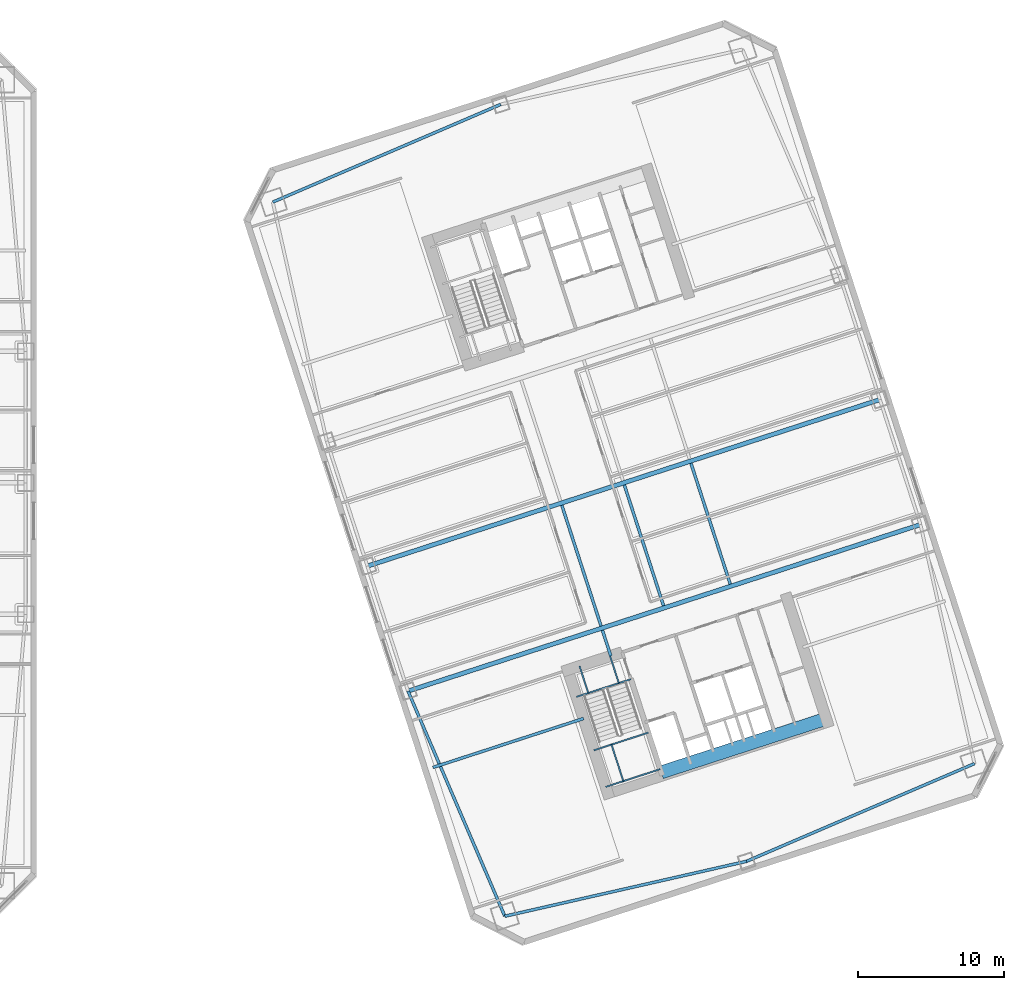
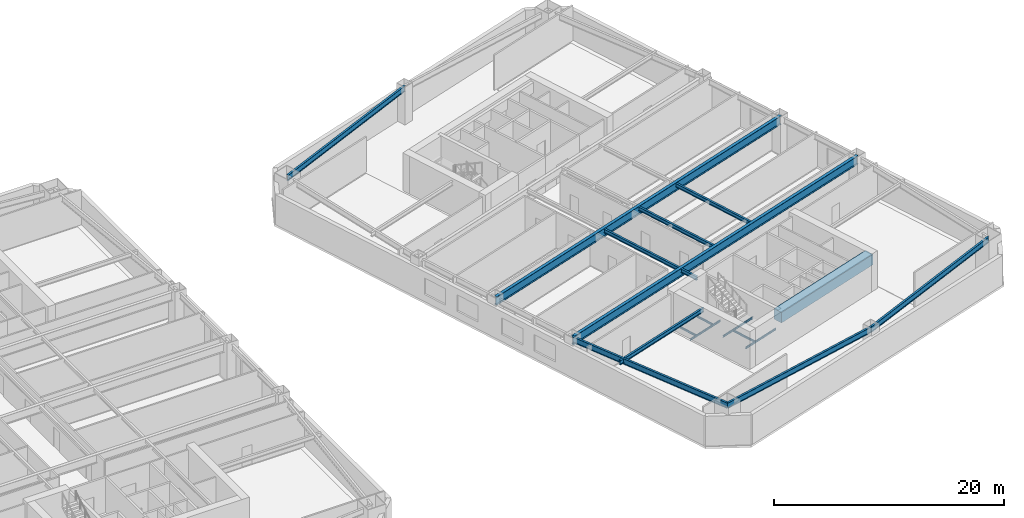
# One storey, part 7 of 24: 18 beams.
"""IFC4 building model written with IfcOpenShell, lengths in metres."""

from ifc_helpers import new_model, si_unit, direction, frame, origin, origin_2d, place, context, subcontext, project, spatial, rectangle, i_section, extrude, material, material_profile, profile_set, type_object, element, save


model = new_model("IFC4")

# Units and contexts
model_context = context("Model", 3, precision=1e-05, world=origin(), true_north=direction((0.0, 1.0)))
body_context = subcontext(model_context, "Body", "Model", "MODEL_VIEW")
ifc_project = project(units=[si_unit("LENGTHUNIT", "METRE"), si_unit("AREAUNIT", "SQUARE_METRE"), si_unit("VOLUMEUNIT", "CUBIC_METRE"), si_unit("PLANEANGLEUNIT", "RADIAN"), si_unit("MASSUNIT", "GRAM", prefix="KILO")], contexts=[model_context])

# Site, building, storey
site_placement = place(None, origin())
site = spatial("IfcSite", under=ifc_project, at=site_placement, CompositionType="ELEMENT")
building_placement = place(site_placement, origin())
building = spatial("IfcBuilding", under=site, at=building_placement, Name="Qiaolan Cultural Towers", CompositionType="ELEMENT")
storey_placement = place(building_placement, frame((0.0, 0.0, 30.0)))
storey = spatial("IfcBuildingStorey", under=building, at=storey_placement, Name="L06", CompositionType="ELEMENT", Elevation=30.0)

# Beams
ifc_material_1 = material(Name="Steel Q355B", Category="steel")
ifc_material_profile_1 = material_profile(ifc_material_1, i_section(OverallWidth=0.300048828125, OverallDepth=0.89990234375, WebThickness=0.01611328125, FlangeThickness=0.028076171875, at=origin_2d()), Name="HN900x300x16x28")
ifc_profile_set_1 = profile_set([ifc_material_profile_1], Name="Steel Q355B")
beam_type_1 = type_object("IfcBeamType", Name="BM-HN900x300x16x28", PredefinedType="BEAM", material=ifc_profile_set_1)
beam_1_placement = place(storey_placement, frame((75.234130859375, 19.739013671875, 3.2900390625), z_axis=(0.951055702987, 0.309019497469, 0.0), x_axis=(-0.309019497469, 0.951055702987, 0.0)))
element("IfcBeam", 1, at=beam_1_placement, inside=storey, type_object=beam_type_1, Name="L06 T2 Primary Transverse Girder V1", PredefinedType="BEAM", context=body_context, shape_type="SweptSolid", body=[
    extrude(i_section(OverallWidth=0.300048828125, OverallDepth=0.89990234375, WebThickness=0.01611328125, FlangeThickness=0.028076171875, at=origin_2d()), origin(), (0.0, 0.0, 1.0), 36.900146484375),
])
beam_2_placement = place(storey_placement, frame((72.453125, 28.298583984375, 3.2900390625), z_axis=(0.951055071173, 0.309021441968, 0.0), x_axis=(-0.309021441968, 0.951055071173, 0.0)))
element("IfcBeam", 2, at=beam_2_placement, inside=storey, type_object=beam_type_1, Name="L06 T2 Primary Transverse Girder V2", PredefinedType="BEAM", context=body_context, shape_type="SweptSolid", body=[
    extrude(i_section(OverallWidth=0.300048828125, OverallDepth=0.89990234375, WebThickness=0.01611328125, FlangeThickness=0.028076171875, at=origin_2d()), origin(), (0.0, 0.0, 1.0), 36.89990234375),
])
ifc_material_2 = material(Name="Steel Q355B", Category="steel")
ifc_material_profile_2 = material_profile(ifc_material_2, i_section(OverallWidth=0.199951171875, OverallDepth=0.39990234375, WebThickness=0.008056640625, FlangeThickness=0.012939453125, at=origin_2d()), Name="HN400x200x8x13")
ifc_profile_set_2 = profile_set([ifc_material_profile_2], Name="Steel Q355B")
beam_type_2 = type_object("IfcBeamType", Name="BM-JST-HN400x200x8x13", PredefinedType="JOIST", material=ifc_profile_set_2)
beam_3_placement = place(storey_placement, frame((89.119384765625, 22.147705078125, 3.5400390625), z_axis=(-0.308933885266, 0.951083516067, 0.0), x_axis=(-0.951083516067, -0.308933885266, 0.0)))
element("IfcBeam", 3, at=beam_3_placement, inside=storey, type_object=beam_type_2, Name="L06 T2 Secondary Floor Joist U1-1", PredefinedType="JOIST", context=body_context, shape_type="SweptSolid", body=[
    extrude(i_section(OverallWidth=0.199951171875, OverallDepth=0.39990234375, WebThickness=0.008056640625, FlangeThickness=0.012939453125, at=origin_2d()), origin(), (0.0, 0.0, 1.0), 1.85009765625),
])
for number, where, z_axis, x_axis, name in (
    (4, (88.455078125, 24.192626953125, 3.5400390625), (-0.309020714809, 0.951055307445, 0.0), (-0.951055307445, -0.309020714809, 0.0), "L06 T2 Secondary Floor Joist U1-2"),
    (5, (92.73486328125, 25.583251953125, 3.5400390625), (-0.309020714809, 0.951055307445, 0.0), (-0.951055307445, -0.309020714809, 0.0), "L06 T2 Secondary Floor Joist U2-2"),
    (6, (97.2998046875, 27.06640625, 3.5400390625), (-0.309020714809, 0.951055307445, 0.0), (-0.951055307445, -0.309020714809, 0.0), "L06 T2 Secondary Floor Joist U3-2"),
):
    element("IfcBeam", number, at=place(storey_placement, frame(where, z_axis=z_axis, x_axis=x_axis)), inside=storey, type_object=beam_type_2, Name=name, PredefinedType="JOIST", context=body_context, shape_type="SweptSolid", body=[
        extrude(i_section(OverallWidth=0.199951171875, OverallDepth=0.39990234375, WebThickness=0.008056640625, FlangeThickness=0.012939453125, at=origin_2d()), origin(), (0.0, 0.0, 1.0), 8.699951171875),
    ])
ifc_material_3 = material(Name="Steel Q355B", Category="steel")
ifc_material_profile_3 = material_profile(ifc_material_3, i_section(OverallWidth=0.199951171875, OverallDepth=0.449951171875, WebThickness=0.009033203125, FlangeThickness=0.013916015625, at=origin_2d()), Name="HN450x200x9x14")
ifc_profile_set_3 = profile_set([ifc_material_profile_3], Name="Steel Q355B")
beam_type_3 = type_object("IfcBeamType", Name="BM-LNT-HN450x200x9x14", PredefinedType="LINTEL", material=ifc_profile_set_3)
beam_4_placement = place(storey_placement, frame((87.252685546875, 17.861083984375, 3.514892578125), z_axis=(-0.95105688584, -0.30901585703, 0.0), x_axis=(0.30901585703, -0.95105688584, 0.0)))
element("IfcBeam", 7, at=beam_4_placement, inside=storey, type_object=beam_type_3, Name="L06 T2 Core Flank Tie Lintel WS", PredefinedType="LINTEL", context=body_context, shape_type="SweptSolid", body=[
    extrude(i_section(OverallWidth=0.199951171875, OverallDepth=0.449951171875, WebThickness=0.009033203125, FlangeThickness=0.013916015625, at=origin_2d()), origin(), (0.0, 0.0, 1.0), 10.849853515625),
])
ifc_material_4 = material(Name="Concrete C50", Category="concrete")
ifc_material_profile_4 = material_profile(ifc_material_4, rectangle(XDim=0.89990234375, YDim=1.10009765625, at=origin_2d()), Name="RC900x1100")
ifc_profile_set_4 = profile_set([ifc_material_profile_4], Name="Concrete C50")
beam_type_4 = type_object("IfcBeamType", Name="BM-RC900x1100", PredefinedType="BEAM", material=ifc_profile_set_4)
beam_5_placement = place(storey_placement, frame((92.572265625, 14.174560546875, 3.18994140625), z_axis=(0.951056266386, 0.309017763514, 0.0), x_axis=(-0.309017763514, 0.951056266386, 0.0)))
element("IfcBeam", 8, at=beam_5_placement, inside=storey, type_object=beam_type_4, Name="L06 T2 Core Header Girder S", PredefinedType="BEAM", context=body_context, shape_type="SweptSolid", body=[
    extrude(rectangle(XDim=0.89990234375, YDim=1.10009765625, at=origin_2d()), origin(), (0.0, 0.0, 1.0), 11.880126953125),
])
ifc_material_5 = material(Name="Steel Q355B", Category="steel")
ifc_material_profile_5 = material_profile(ifc_material_5, i_section(OverallWidth=0.199951171875, OverallDepth=0.60009765625, WebThickness=0.010986328125, FlangeThickness=0.01708984375, at=origin_2d()), Name="HN600x200x11x17")
ifc_profile_set_5 = profile_set([ifc_material_profile_5], Name="Steel Q355B")
beam_type_5 = type_object("IfcBeamType", Name="BM-SPD-HN600x200x11x17", PredefinedType="SPANDREL", material=ifc_profile_set_5)
for number, where, z_axis, x_axis, name in (
    (9, (81.862548828125, 4.32275390625, 3.43994140625), (0.975161095889, 0.221496810506, 0.0), (-0.221496810506, 0.975161095889, 0.0), "L06 T2 Perimeter Spandrel Beam 1"),
    (10, (98.420654296875, 8.083740234375, 3.43994140625), (0.919108584923, 0.394004326272, 0.0), (-0.394004326272, 0.919108584923, 0.0), "L06 T2 Perimeter Spandrel Beam 2"),
    (11, (81.579345703125, 59.916259765625, 3.43994140625), (-0.919108584923, -0.394004326272, 0.0), (0.394004326272, -0.919108584923, 0.0), "L06 T2 Perimeter Spandrel Beam 8"),
):
    element("IfcBeam", number, at=place(storey_placement, frame(where, z_axis=z_axis, x_axis=x_axis)), inside=storey, type_object=beam_type_5, Name=name, PredefinedType="SPANDREL", context=body_context, shape_type="SweptSolid", body=[
        extrude(i_section(OverallWidth=0.199951171875, OverallDepth=0.60009765625, WebThickness=0.010986328125, FlangeThickness=0.01708984375, at=origin_2d()), origin(), (0.0, 0.0, 1.0), 16.97998046875),
    ])
beam_6_placement = place(storey_placement, frame((75.234130859375, 19.739013671875, 3.43994140625), z_axis=(0.394998896054, -0.918681594524, 0.0), x_axis=(0.918681594524, 0.394998896054, 0.0)))
element("IfcBeam", 12, at=beam_6_placement, inside=storey, type_object=beam_type_5, Name="L06 T2 Perimeter Spandrel Beam 12", PredefinedType="SPANDREL", context=body_context, shape_type="SweptSolid", body=[
    extrude(i_section(OverallWidth=0.199951171875, OverallDepth=0.60009765625, WebThickness=0.010986328125, FlangeThickness=0.01708984375, at=origin_2d()), origin(), (0.0, 0.0, 1.0), 16.78076171875),
])
ifc_material_6 = material(Name="Steel Q355B", Category="steel")
ifc_material_profile_6 = material_profile(ifc_material_6, i_section(OverallWidth=0.10009765625, OverallDepth=0.199951171875, WebThickness=0.005615234375, FlangeThickness=0.008056640625, at=origin_2d()), Name="HN200x100x5.5x8")
ifc_profile_set_6 = profile_set([ifc_material_profile_6], Name="Steel Q355B")
beam_type_6 = type_object("IfcBeamType", Name="BM-STTRIM-200", PredefinedType="BEAM", material=ifc_profile_set_6)
beam_7_placement = place(storey_placement, frame((86.770751953125, 19.3447265625, -0.4599609375), z_axis=(0.951047798727, 0.309043823005, 0.0), x_axis=(-0.309043823005, 0.951047798727, 0.0)))
element("IfcBeam", 13, at=beam_7_placement, inside=storey, type_object=beam_type_6, Name="L06 ST-E1 Floor Landing Header Beam", PredefinedType="BEAM", context=body_context, shape_type="SweptSolid", body=[
    extrude(i_section(OverallWidth=0.10009765625, OverallDepth=0.199951171875, WebThickness=0.005615234375, FlangeThickness=0.008056640625, at=origin_2d()), origin(), (0.0, 0.0, 1.0), 3.919921875),
])
for number, where, z_axis, x_axis, name in (
    (14, (86.9794921875, 21.452392578125, -0.4599609375), (0.309083226701, -0.951034993558, 0.0), (0.951034993558, 0.309083226701, 0.0), "L06 ST-E1 Floor Landing Stringer 1"),
    (15, (89.07177734375, 22.13232421875, -0.4599609375), (0.309083226701, -0.951034993558, 0.0), (0.951034993558, 0.309083226701, 0.0), "L06 ST-E1 Floor Landing Stringer 2"),
):
    element("IfcBeam", number, at=place(storey_placement, frame(where, z_axis=z_axis, x_axis=x_axis)), inside=storey, type_object=beam_type_6, Name=name, PredefinedType="BEAM", context=body_context, shape_type="SweptSolid", body=[
        extrude(i_section(OverallWidth=0.10009765625, OverallDepth=0.199951171875, WebThickness=0.005615234375, FlangeThickness=0.008056640625, at=origin_2d()), origin(), (0.0, 0.0, 1.0), 1.93994140625),
    ])
for number, where, z_axis, x_axis, name in (
    (16, (87.9599609375, 15.6845703125, 1.699951171875), (0.951066103084, 0.308987487715, 0.0), (-0.308987487715, 0.951066103084, 0.0), "L06 ST-E1 Stair Landing Support Beam 1-1"),
    (17, (88.773193359375, 13.181884765625, 1.699951171875), (0.951047798727, 0.309043823005, 0.0), (-0.309043823005, 0.951047798727, 0.0), "L06 ST-E1 Stair Landing Support Beam 1-2"),
):
    element("IfcBeam", number, at=place(storey_placement, frame(where, z_axis=z_axis, x_axis=x_axis)), inside=storey, type_object=beam_type_6, Name=name, PredefinedType="BEAM", context=body_context, shape_type="SweptSolid", body=[
        extrude(i_section(OverallWidth=0.10009765625, OverallDepth=0.199951171875, WebThickness=0.005615234375, FlangeThickness=0.008056640625, at=origin_2d()), origin(), (0.0, 0.0, 1.0), 3.919921875),
    ])
beam_8_placement = place(storey_placement, frame((89.167724609375, 16.076904296875, 1.699951171875), z_axis=(0.309065092166, -0.951040887031, 0.0), x_axis=(0.951040887031, 0.309065092166, 0.0)))
element("IfcBeam", 18, at=beam_8_placement, inside=storey, type_object=beam_type_6, Name="L06 ST-E1 Stair Landing Trimmer 1", PredefinedType="BEAM", context=body_context, shape_type="SweptSolid", body=[
    extrude(i_section(OverallWidth=0.10009765625, OverallDepth=0.199951171875, WebThickness=0.005615234375, FlangeThickness=0.008056640625, at=origin_2d()), origin(), (0.0, 0.0, 1.0), 2.63134765625),
])

save(model, "model.ifc")
